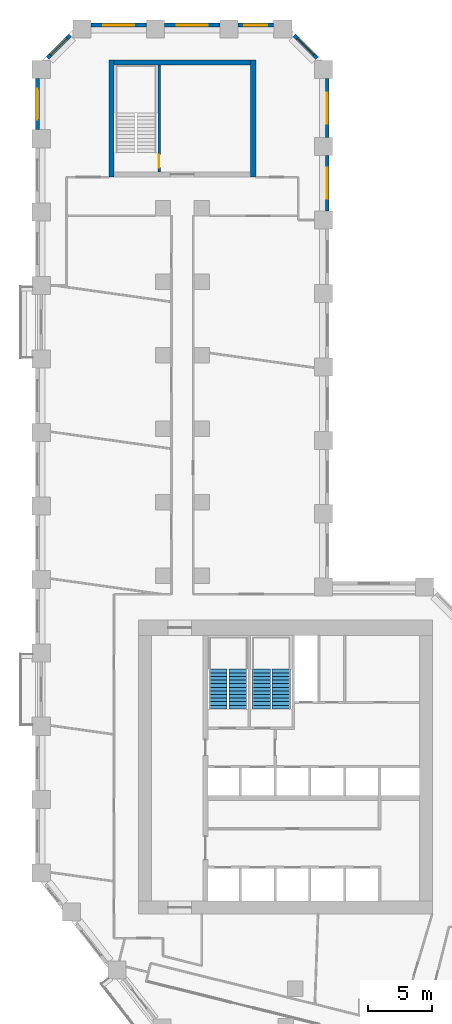
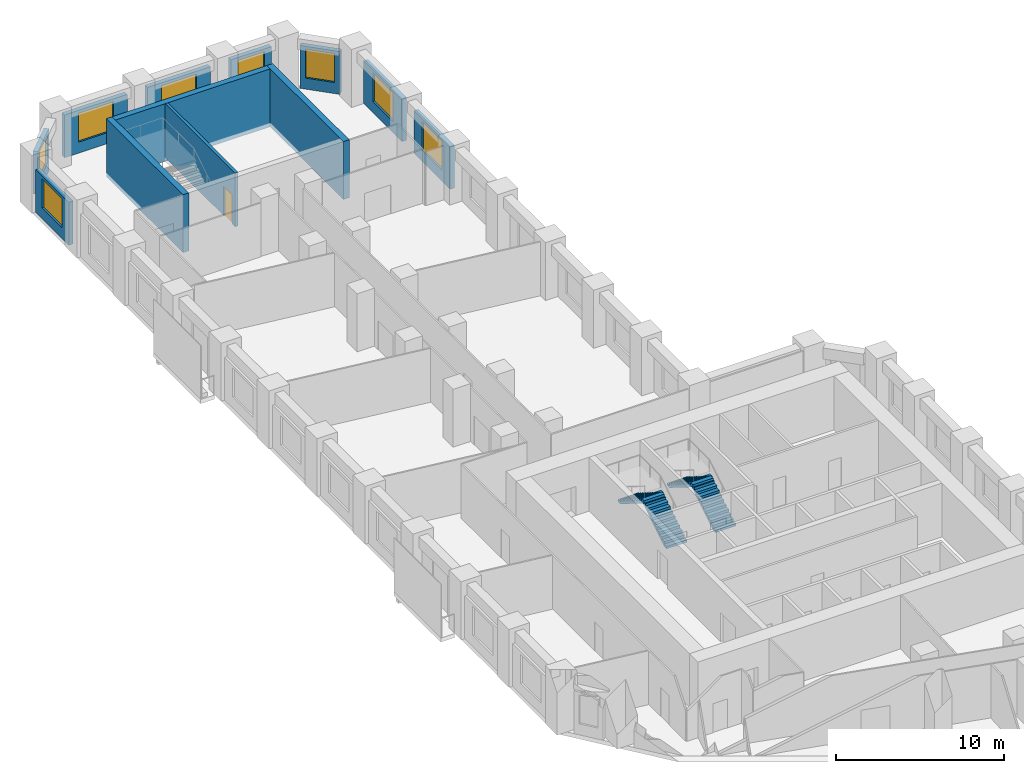
# One storey, part 9 of 11: 12 walls, 8 windows, 4 stair flights, 1 door, 9 openings, 2 elements without a shape of their own.
"""IFC4 building model written with IfcOpenShell, lengths in metres."""

from ifc_helpers import new_model, si_unit, direction, frame, frame_2d, origin, place, context, subcontext, project, spatial, polyline, rectangle, outline, extrude, material, layer, layer_set, type_object, element, fill, aggregate, save


model = new_model("IFC4")

# Units and contexts
model_context = context("Model", 3, precision=1e-05, world=origin(), true_north=direction((0.0, 1.0)))
body_context = subcontext(model_context, "Body", "Model", "MODEL_VIEW")
ifc_project = project(units=[si_unit("LENGTHUNIT", "METRE"), si_unit("AREAUNIT", "SQUARE_METRE"), si_unit("VOLUMEUNIT", "CUBIC_METRE"), si_unit("PLANEANGLEUNIT", "RADIAN"), si_unit("MASSUNIT", "GRAM", prefix="KILO")], contexts=[model_context])

# Site, building, storey
site_placement = place(None, origin())
site = spatial("IfcSite", under=ifc_project, at=site_placement, CompositionType="ELEMENT")
building_placement = place(site_placement, origin())
building = spatial("IfcBuilding", under=site, at=building_placement, Name="Meshkara Civic Tower", CompositionType="ELEMENT")
storey_placement = place(building_placement, frame((0.0, 0.0, 79.199951171875)))
storey = spatial("IfcBuildingStorey", under=building, at=storey_placement, Name="L17", CompositionType="ELEMENT", Elevation=79.199951171875)

# Wall, opening, window
ifc_material_1 = material(Name="Insulated infill panel with bronze anodised aluminium cladding", Category="aluminium")
ifc_layer_1 = layer(ifc_material_1, 0.300048828125)
ifc_layer_set_1 = layer_set([ifc_layer_1], Name="EXTERNAL INFILL WALL 300")
wall_type_1 = type_object("IfcWallType", Name="EXTERNAL INFILL WALL 300", PredefinedType="SOLIDWALL", material=ifc_layer_set_1)
wall_1_placement = place(storey_placement, frame((22.64990234375, 68.64990234375, 0.0), z_axis=(0.0, 0.0, 1.0), x_axis=(0.0, 1.0, 0.0)))
wall_1 = element("IfcWall", 1, at=wall_1_placement, inside=storey, type_object=wall_type_1, Name="External wall", PredefinedType="SOLIDWALL", context=body_context, shape_type="SweptSolid", body=[
    extrude(rectangle(XDim=4.300048828125, YDim=0.300048828125, at=frame_2d((2.14990234375, 0.0))), origin(), (0.0, 0.0, 1.0), 3.10009765625),
])
opening_1_placement = place(wall_1_placement, frame((0.949951171875, 0.0, 0.800048828125)))
opening_1 = element("IfcOpeningElement", 2, at=opening_1_placement, cuts=wall_1, Name="Opening W7", PredefinedType="OPENING", context=body_context, shape_type="SweptSolid", body=[
    extrude(rectangle(XDim=2.39990234375, YDim=2.10009765625, at=frame_2d((1.199951171875, 1.050048828125))), frame((0.0, 0.159912109375, 0.0), z_axis=(0.0, -1.0, 0.0), x_axis=(1.0, 0.0, 0.0)), (0.0, 0.0, 1.0), 0.320068359375),
])
ifc_material_2 = material(Name="Tinted double glazing", Category="glass")
window_type_1 = type_object("IfcWindowType", Name="WINDOW 2400x2100", PartitioningType="DOUBLE_PANEL_VERTICAL", PredefinedType="WINDOW", material=ifc_material_2)
window_1_placement = place(opening_1_placement, origin())
window_1 = element("IfcWindow", 3, at=window_1_placement, inside=storey, type_object=window_type_1, Name="Window", OverallHeight=2.10009765625, OverallWidth=2.39990234375, PartitioningType="DOUBLE_PANEL_VERTICAL", PredefinedType="WINDOW", context=body_context, shape_type="SweptSolid", body=[
    extrude(rectangle(XDim=2.39990234375, YDim=2.10009765625, at=frame_2d((1.199951171875, 1.050048828125))), frame((0.0, 0.030029296875, 0.0), z_axis=(0.0, -1.0, 0.0), x_axis=(1.0, 0.0, 0.0)), (0.0, 0.0, 1.0), 0.06005859375),
])
fill(opening_1, window_1)

wall_2_placement = place(storey_placement, frame((22.64990234375, 74.35009765625, 0.0), z_axis=(0.0, 0.0, 1.0), x_axis=(0.0, 1.0, 0.0)))
wall_2 = element("IfcWall", 4, at=wall_2_placement, inside=storey, type_object=wall_type_1, Name="External wall", PredefinedType="SOLIDWALL", context=body_context, shape_type="SweptSolid", body=[
    extrude(rectangle(XDim=4.56396484375, YDim=0.300048828125, at=frame_2d((2.281982421875, 0.0))), origin(), (0.0, 0.0, 1.0), 3.10009765625),
])
opening_2_placement = place(wall_2_placement, frame((1.08203125, 0.0, 0.800048828125)))
opening_2 = element("IfcOpeningElement", 5, at=opening_2_placement, cuts=wall_2, Name="Opening W7", PredefinedType="OPENING", context=body_context, shape_type="SweptSolid", body=[
    extrude(rectangle(XDim=2.39990234375, YDim=2.10009765625, at=frame_2d((1.199951171875, 1.050048828125))), frame((0.0, 0.159912109375, 0.0), z_axis=(0.0, -1.0, 0.0), x_axis=(1.0, 0.0, 0.0)), (0.0, 0.0, 1.0), 0.320068359375),
])
window_2_placement = place(opening_2_placement, origin())
window_2 = element("IfcWindow", 6, at=window_2_placement, inside=storey, type_object=window_type_1, Name="Window", OverallHeight=2.10009765625, OverallWidth=2.39990234375, PartitioningType="DOUBLE_PANEL_VERTICAL", PredefinedType="WINDOW", context=body_context, shape_type="SweptSolid", body=[
    extrude(rectangle(XDim=2.39990234375, YDim=2.10009765625, at=frame_2d((1.199951171875, 1.050048828125))), frame((0.0, 0.030029296875, 0.0), z_axis=(0.0, -1.0, 0.0), x_axis=(1.0, 0.0, 0.0)), (0.0, 0.0, 1.0), 0.06005859375),
])
fill(opening_2, window_2)

wall_3_placement = place(storey_placement, frame((21.862060546875, 80.52587890625, 0.0), z_axis=(0.0, 0.0, 1.0), x_axis=(-0.707106781187, 0.707106781187, 0.0)))
wall_3 = element("IfcWall", 7, at=wall_3_placement, inside=storey, type_object=wall_type_1, Name="External wall", PredefinedType="SOLIDWALL", context=body_context, shape_type="SweptSolid", body=[
    extrude(rectangle(XDim=2.4833984375, YDim=0.300048828125, at=frame_2d((1.24169921875, 0.0))), origin(), (0.0, 0.0, 1.0), 3.10009765625),
])
opening_3_placement = place(wall_3_placement, frame((0.342041015625, 0.0, 0.800048828125)))
opening_3 = element("IfcOpeningElement", 8, at=opening_3_placement, cuts=wall_3, Name="Opening W9", PredefinedType="OPENING", context=body_context, shape_type="SweptSolid", body=[
    extrude(rectangle(XDim=1.800048828125, YDim=2.10009765625, at=frame_2d((0.89990234375, 1.050048828125))), frame((0.0, 0.159912109375, 0.0), z_axis=(0.0, -1.0, 0.0), x_axis=(1.0, 0.0, 0.0)), (0.0, 0.0, 1.0), 0.320068359375),
])
ifc_material_3 = material(Name="Tinted double glazing", Category="glass")
window_type_2 = type_object("IfcWindowType", Name="WINDOW 1800x2100", PartitioningType="DOUBLE_PANEL_VERTICAL", PredefinedType="WINDOW", material=ifc_material_3)
window_3_placement = place(opening_3_placement, origin())
window_3 = element("IfcWindow", 9, at=window_3_placement, inside=storey, type_object=window_type_2, Name="Window", OverallHeight=2.10009765625, OverallWidth=1.800048828125, PartitioningType="DOUBLE_PANEL_VERTICAL", PredefinedType="WINDOW", context=body_context, shape_type="SweptSolid", body=[
    extrude(rectangle(XDim=1.800048828125, YDim=2.10009765625, at=frame_2d((0.89990234375, 1.050048828125))), frame((0.0, 0.030029296875, 0.0), z_axis=(0.0, -1.0, 0.0), x_axis=(1.0, 0.0, 0.0)), (0.0, 0.0, 1.0), 0.06005859375),
])
fill(opening_3, window_3)

wall_4_placement = place(storey_placement, frame((18.493896484375, 83.070068359375, 0.0), z_axis=(0.0, 0.0, 1.0), x_axis=(-1.0, 0.0, 0.0)))
wall_4 = element("IfcWall", 10, at=wall_4_placement, inside=storey, type_object=wall_type_1, Name="External wall", PredefinedType="SOLIDWALL", context=body_context, shape_type="SweptSolid", body=[
    extrude(rectangle(XDim=2.787841796875, YDim=0.300048828125, at=frame_2d((1.39404296875, 0.0))), origin(), (0.0, 0.0, 1.0), 3.10009765625),
])
opening_4_placement = place(wall_4_placement, frame((0.493896484375, 0.0, 0.800048828125)))
opening_4 = element("IfcOpeningElement", 11, at=opening_4_placement, cuts=wall_4, Name="Opening W9", PredefinedType="OPENING", context=body_context, shape_type="SweptSolid", body=[
    extrude(rectangle(XDim=1.800048828125, YDim=2.10009765625, at=frame_2d((0.89990234375, 1.050048828125))), frame((0.0, 0.159912109375, 0.0), z_axis=(0.0, -1.0, 0.0), x_axis=(1.0, 0.0, 0.0)), (0.0, 0.0, 1.0), 0.320068359375),
])
window_4_placement = place(opening_4_placement, origin())
window_4 = element("IfcWindow", 12, at=window_4_placement, inside=storey, type_object=window_type_2, Name="Window", OverallHeight=2.10009765625, OverallWidth=1.800048828125, PartitioningType="DOUBLE_PANEL_VERTICAL", PredefinedType="WINDOW", context=body_context, shape_type="SweptSolid", body=[
    extrude(rectangle(XDim=1.800048828125, YDim=2.10009765625, at=frame_2d((0.89990234375, 1.050048828125))), frame((0.0, 0.030029296875, 0.0), z_axis=(0.0, -1.0, 0.0), x_axis=(1.0, 0.0, 0.0)), (0.0, 0.0, 1.0), 0.06005859375),
])
fill(opening_4, window_4)

wall_5_placement = place(storey_placement, frame((14.305908203125, 83.070068359375, 0.0), z_axis=(0.0, 0.0, 1.0), x_axis=(-1.0, 0.0, 0.0)))
wall_5 = element("IfcWall", 13, at=wall_5_placement, inside=storey, type_object=wall_type_1, Name="External wall", PredefinedType="SOLIDWALL", context=body_context, shape_type="SweptSolid", body=[
    extrude(rectangle(XDim=4.2998046875, YDim=0.300048828125, at=frame_2d((2.14990234375, 0.0))), origin(), (0.0, 0.0, 1.0), 3.10009765625),
])
opening_5_placement = place(wall_5_placement, frame((0.949951171875, 0.0, 0.800048828125)))
opening_5 = element("IfcOpeningElement", 14, at=opening_5_placement, cuts=wall_5, Name="Opening W7", PredefinedType="OPENING", context=body_context, shape_type="SweptSolid", body=[
    extrude(rectangle(XDim=2.39990234375, YDim=2.10009765625, at=frame_2d((1.199951171875, 1.050048828125))), frame((0.0, 0.159912109375, 0.0), z_axis=(0.0, -1.0, 0.0), x_axis=(1.0, 0.0, 0.0)), (0.0, 0.0, 1.0), 0.320068359375),
])
window_5_placement = place(opening_5_placement, origin())
window_5 = element("IfcWindow", 15, at=window_5_placement, inside=storey, type_object=window_type_1, Name="Window", OverallHeight=2.10009765625, OverallWidth=2.39990234375, PartitioningType="DOUBLE_PANEL_VERTICAL", PredefinedType="WINDOW", context=body_context, shape_type="SweptSolid", body=[
    extrude(rectangle(XDim=2.39990234375, YDim=2.10009765625, at=frame_2d((1.199951171875, 1.050048828125))), frame((0.0, 0.030029296875, 0.0), z_axis=(0.0, -1.0, 0.0), x_axis=(1.0, 0.0, 0.0)), (0.0, 0.0, 1.0), 0.06005859375),
])
fill(opening_5, window_5)

wall_6_placement = place(storey_placement, frame((8.60595703125, 83.070068359375, 0.0), z_axis=(0.0, 0.0, 1.0), x_axis=(-1.0, 0.0, 0.0)))
wall_6 = element("IfcWall", 16, at=wall_6_placement, inside=storey, type_object=wall_type_1, Name="External wall", PredefinedType="SOLIDWALL", context=body_context, shape_type="SweptSolid", body=[
    extrude(rectangle(XDim=4.300048828125, YDim=0.300048828125, at=frame_2d((2.14990234375, 0.0))), origin(), (0.0, 0.0, 1.0), 3.10009765625),
])
opening_6_placement = place(wall_6_placement, frame((0.949951171875, 0.0, 0.800048828125)))
opening_6 = element("IfcOpeningElement", 17, at=opening_6_placement, cuts=wall_6, Name="Opening W7", PredefinedType="OPENING", context=body_context, shape_type="SweptSolid", body=[
    extrude(rectangle(XDim=2.39990234375, YDim=2.10009765625, at=frame_2d((1.199951171875, 1.050048828125))), frame((0.0, 0.159912109375, 0.0), z_axis=(0.0, -1.0, 0.0), x_axis=(1.0, 0.0, 0.0)), (0.0, 0.0, 1.0), 0.320068359375),
])
window_6_placement = place(opening_6_placement, origin())
window_6 = element("IfcWindow", 18, at=window_6_placement, inside=storey, type_object=window_type_1, Name="Window", OverallHeight=2.10009765625, OverallWidth=2.39990234375, PartitioningType="DOUBLE_PANEL_VERTICAL", PredefinedType="WINDOW", context=body_context, shape_type="SweptSolid", body=[
    extrude(rectangle(XDim=2.39990234375, YDim=2.10009765625, at=frame_2d((1.199951171875, 1.050048828125))), frame((0.0, 0.030029296875, 0.0), z_axis=(0.0, -1.0, 0.0), x_axis=(1.0, 0.0, 0.0)), (0.0, 0.0, 1.0), 0.06005859375),
])
fill(opening_6, window_6)

wall_7_placement = place(storey_placement, frame((2.694091796875, 82.281982421875, 0.0), z_axis=(0.0, 0.0, 1.0), x_axis=(-0.707106781187, -0.707106781187, 0.0)))
wall_7 = element("IfcWall", 19, at=wall_7_placement, inside=storey, type_object=wall_type_1, Name="External wall", PredefinedType="SOLIDWALL", context=body_context, shape_type="SweptSolid", body=[
    extrude(rectangle(XDim=2.4833984375, YDim=0.300048828125, at=frame_2d((1.24169921875, 0.0))), origin(), (0.0, 0.0, 1.0), 3.10009765625),
])
opening_7_placement = place(wall_7_placement, frame((0.342041015625, 0.0, 0.800048828125)))
opening_7 = element("IfcOpeningElement", 20, at=opening_7_placement, cuts=wall_7, Name="Opening W9", PredefinedType="OPENING", context=body_context, shape_type="SweptSolid", body=[
    extrude(rectangle(XDim=1.800048828125, YDim=2.10009765625, at=frame_2d((0.89990234375, 1.050048828125))), frame((0.0, 0.159912109375, 0.0), z_axis=(0.0, -1.0, 0.0), x_axis=(1.0, 0.0, 0.0)), (0.0, 0.0, 1.0), 0.320068359375),
])
window_7_placement = place(opening_7_placement, origin())
window_7 = element("IfcWindow", 21, at=window_7_placement, inside=storey, type_object=window_type_2, Name="Window", OverallHeight=2.10009765625, OverallWidth=1.800048828125, PartitioningType="DOUBLE_PANEL_VERTICAL", PredefinedType="WINDOW", context=body_context, shape_type="SweptSolid", body=[
    extrude(rectangle(XDim=1.800048828125, YDim=2.10009765625, at=frame_2d((0.89990234375, 1.050048828125))), frame((0.0, 0.030029296875, 0.0), z_axis=(0.0, -1.0, 0.0), x_axis=(1.0, 0.0, 0.0)), (0.0, 0.0, 1.0), 0.06005859375),
])
fill(opening_7, window_7)

wall_8_placement = place(storey_placement, frame((0.14990234375, 78.9140625, 0.0), z_axis=(0.0, 0.0, 1.0), x_axis=(0.0, -1.0, 0.0)))
wall_8 = element("IfcWall", 22, at=wall_8_placement, inside=storey, type_object=wall_type_1, Name="External wall", PredefinedType="SOLIDWALL", context=body_context, shape_type="SweptSolid", body=[
    extrude(rectangle(XDim=3.958984375, YDim=0.300048828125, at=frame_2d((1.9794921875, 0.0))), origin(), (0.0, 0.0, 1.0), 3.10009765625),
])
opening_8_placement = place(wall_8_placement, frame((0.780029296875, 0.0, 0.800048828125)))
opening_8 = element("IfcOpeningElement", 23, at=opening_8_placement, cuts=wall_8, Name="Opening W7", PredefinedType="OPENING", context=body_context, shape_type="SweptSolid", body=[
    extrude(rectangle(XDim=2.39990234375, YDim=2.10009765625, at=frame_2d((1.199951171875, 1.050048828125))), frame((0.0, 0.159912109375, 0.0), z_axis=(0.0, -1.0, 0.0), x_axis=(1.0, 0.0, 0.0)), (0.0, 0.0, 1.0), 0.320068359375),
])
window_8_placement = place(opening_8_placement, origin())
window_8 = element("IfcWindow", 24, at=window_8_placement, inside=storey, type_object=window_type_1, Name="Window", OverallHeight=2.10009765625, OverallWidth=2.39990234375, PartitioningType="DOUBLE_PANEL_VERTICAL", PredefinedType="WINDOW", context=body_context, shape_type="SweptSolid", body=[
    extrude(rectangle(XDim=2.39990234375, YDim=2.10009765625, at=frame_2d((1.199951171875, 1.050048828125))), frame((0.0, 0.030029296875, 0.0), z_axis=(0.0, -1.0, 0.0), x_axis=(1.0, 0.0, 0.0)), (0.0, 0.0, 1.0), 0.06005859375),
])
fill(opening_8, window_8)

# Walls
ifc_material_4 = material(Name="Concrete C80", Category="concrete")
ifc_layer_2 = layer(ifc_material_4, 0.39990234375)
ifc_layer_set_2 = layer_set([ifc_layer_2], Name="End core ring wall 400 C80")
wall_type_2 = type_object("IfcWallType", Name="End core ring wall 400 C80", PredefinedType="SHEAR", material=ifc_layer_set_2)
for number, where, z_axis, x_axis, name in (
    (25, (5.89990234375, 71.27001953125, -0.300048828125), (0.0, 0.0, 1.0), (0.0, 1.0, 0.0), "L17-C026"),
    (26, (16.89990234375, 71.27001953125, -0.300048828125), (0.0, 0.0, 1.0), (0.0, 1.0, 0.0), "L17-C027"),
):
    element("IfcWall", number, at=place(storey_placement, frame(where, z_axis=z_axis, x_axis=x_axis)), inside=storey, type_object=wall_type_2, Name=name, PredefinedType="SHEAR", context=body_context, shape_type="SweptSolid", body=[
        extrude(rectangle(XDim=9.10009765625, YDim=0.39990234375, at=frame_2d((4.550048828125, 0.0))), origin(), (0.0, 0.0, 1.0), 4.2001953125),
    ])
wall_9_placement = place(storey_placement, frame((6.10009765625, 80.169921875, -0.300048828125), z_axis=(0.0, 0.0, 1.0), x_axis=(1.0, 0.0, 0.0)))
element("IfcWall", 27, at=wall_9_placement, inside=storey, type_object=wall_type_2, Name="L17-C029", PredefinedType="SHEAR", context=body_context, shape_type="SweptSolid", body=[
    extrude(rectangle(XDim=10.599853515625, YDim=0.39990234375, at=frame_2d((5.2998046875, 0.0))), origin(), (0.0, 0.0, 1.0), 4.2001953125),
])

# Wall, opening, door
ifc_material_5 = material(Name="Concrete C40/50", Category="concrete")
ifc_layer_3 = layer(ifc_material_5, 0.199951171875)
ifc_layer_set_3 = layer_set([ifc_layer_3], Name="Stair enclosure wall 200 C40/50")
wall_type_3 = type_object("IfcWallType", Name="Stair enclosure wall 200 C40/50", PredefinedType="SOLIDWALL", material=ifc_layer_set_3)
wall_10_placement = place(storey_placement, frame((9.60009765625, 71.669921875, 0.0), z_axis=(0.0, 0.0, 1.0), x_axis=(0.0, 1.0, 0.0)))
wall_10 = element("IfcWall", 28, at=wall_10_placement, inside=storey, type_object=wall_type_3, Name="L17-C030", PredefinedType="SOLIDWALL", context=body_context, shape_type="SweptSolid", body=[
    extrude(rectangle(XDim=8.300048828125, YDim=0.199951171875, at=frame_2d((4.14990234375, 0.0))), origin(), (0.0, 0.0, 1.0), 3.900146484375),
])
opening_9_placement = place(wall_10_placement, frame((0.35009765625, 0.0, 0.0)))
opening_9 = element("IfcOpeningElement", 29, at=opening_9_placement, cuts=wall_10, Name="Opening L17-K101", PredefinedType="OPENING", context=body_context, shape_type="SweptSolid", body=[
    extrude(rectangle(XDim=1.0, YDim=2.10009765625, at=frame_2d((0.5, 1.050048828125))), frame((0.0, 0.10986328125, 0.0), z_axis=(0.0, -1.0, 0.0), x_axis=(1.0, 0.0, 0.0)), (0.0, 0.0, 1.0), 0.219970703125),
])
ifc_material_6 = material(Name="Fire-rated door leaf in steel frame", Category="steel")
door_type = type_object("IfcDoorType", Name="Stair door 1000 EI 120", OperationType="SINGLE_SWING_LEFT", PredefinedType="DOOR", material=ifc_material_6)
door_placement = place(opening_9_placement, origin())
door = element("IfcDoor", 30, at=door_placement, inside=storey, type_object=door_type, Name="L17-K101", OperationType="SINGLE_SWING_RIGHT", OverallHeight=2.10009765625, OverallWidth=1.0, PredefinedType="DOOR", context=body_context, shape_type="SweptSolid", body=[
    extrude(rectangle(XDim=1.0, YDim=2.10009765625, at=frame_2d((0.5, 1.050048828125))), frame((0.0, 0.02490234375, 0.0), z_axis=(0.0, -1.0, 0.0), x_axis=(1.0, 0.0, 0.0)), (0.0, 0.0, 1.0), 0.050048828125),
])
fill(opening_9, door)

# Stair, stair flights
ifc_material_7 = material(Name="Precast concrete C40/50", Category="concrete")
stair_type = type_object("IfcStairType", Name="Exit stair half-turn 24 risers precast", PredefinedType="HALF_TURN_STAIR", material=ifc_material_7)
stair_1_placement = place(storey_placement, origin())
stair_1 = element("IfcStair", 31, at=stair_1_placement, inside=storey, type_object=stair_type, Name="L17 exit stair 1", PredefinedType="HALF_TURN_STAIR")
ifc_material_8 = material(Name="Precast concrete C40/50", Category="concrete")
stair_flight_type = type_object("IfcStairFlightType", Name="Exit stair flight 12 risers precast", PredefinedType="STRAIGHT", material=ifc_material_8)
stair_flight_1_placement = place(storey_placement, frame((15.72509765625, 30.0, 0.0), z_axis=(0.0, 0.0, 1.0), x_axis=(0.0, 1.0, 0.0)))
stair_flight_1 = element("IfcStairFlight", 32, at=stair_flight_1_placement, type_object=stair_flight_type, Name="ST1 flight 1", NumberOfRisers=12, NumberOfTreads=11, PredefinedType="STRAIGHT", RiserHeight=0.175, TreadLength=0.28, context=body_context, shape_type="SweptSolid", body=[
    extrude(outline(polyline([(0.0, 0.0), (0.0, 0.175048828125), (0.280029296875, 0.175048828125), (0.280029296875, 0.35009765625), (0.56005859375, 0.35009765625), (0.56005859375, 0.52490234375), (0.840087890625, 0.52490234375), (0.840087890625, 0.699951171875), (1.1201171875, 0.699951171875), (1.1201171875, 0.875), (1.39990234375, 0.875), (1.39990234375, 1.050048828125), (1.679931640625, 1.050048828125), (1.679931640625, 1.22509765625), (1.9599609375, 1.22509765625), (1.9599609375, 1.39990234375), (2.239990234375, 1.39990234375), (2.239990234375, 1.574951171875), (2.52001953125, 1.574951171875), (2.52001953125, 1.75), (2.800048828125, 1.75), (2.800048828125, 1.925048828125), (3.080078125, 1.925048828125), (3.080078125, 2.10009765625), (3.080078125, 1.748291015625), (0.28271484375, 0.0), (0.0, 0.0)])), frame((0.0, 0.699951171875, 0.0), z_axis=(0.0, -1.0, 0.0), x_axis=(1.0, 0.0, 0.0)), (0.0, 0.0, 1.0), 1.39990234375),
])
stair_flight_2_placement = place(storey_placement, frame((14.175048828125, 33.080078125, 2.10009765625), z_axis=(0.0, 0.0, 1.0), x_axis=(0.0, -1.0, 0.0)))
stair_flight_2 = element("IfcStairFlight", 33, at=stair_flight_2_placement, type_object=stair_flight_type, Name="ST1 flight 2", NumberOfRisers=12, NumberOfTreads=11, PredefinedType="STRAIGHT", RiserHeight=0.175, TreadLength=0.28, context=body_context, shape_type="SweptSolid", body=[
    extrude(outline(polyline([(0.0, 0.0), (0.0, 0.175048828125), (0.280029296875, 0.175048828125), (0.280029296875, 0.35009765625), (0.56005859375, 0.35009765625), (0.56005859375, 0.52490234375), (0.840087890625, 0.52490234375), (0.840087890625, 0.699951171875), (1.1201171875, 0.699951171875), (1.1201171875, 0.875), (1.39990234375, 0.875), (1.39990234375, 1.050048828125), (1.679931640625, 1.050048828125), (1.679931640625, 1.22509765625), (1.9599609375, 1.22509765625), (1.9599609375, 1.39990234375), (2.239990234375, 1.39990234375), (2.239990234375, 1.574951171875), (2.52001953125, 1.574951171875), (2.52001953125, 1.75), (2.800048828125, 1.75), (2.800048828125, 1.925048828125), (3.080078125, 1.925048828125), (3.080078125, 2.10009765625), (3.080078125, 1.748291015625), (0.28271484375, 0.0), (0.0, 0.0)])), frame((0.0, 0.699951171875, 0.0), z_axis=(0.0, -1.0, 0.0), x_axis=(1.0, 0.0, 0.0)), (0.0, 0.0, 1.0), 1.39990234375),
])
aggregate(stair_1, [stair_flight_1, stair_flight_2])

stair_2_placement = place(storey_placement, origin())
stair_2 = element("IfcStair", 34, at=stair_2_placement, inside=storey, type_object=stair_type, Name="L17 exit stair 2", PredefinedType="HALF_TURN_STAIR")
stair_flight_3_placement = place(storey_placement, frame((19.074951171875, 30.0, 0.0), z_axis=(0.0, 0.0, 1.0), x_axis=(0.0, 1.0, 0.0)))
stair_flight_3 = element("IfcStairFlight", 35, at=stair_flight_3_placement, type_object=stair_flight_type, Name="ST2 flight 1", NumberOfRisers=12, NumberOfTreads=11, PredefinedType="STRAIGHT", RiserHeight=0.175, TreadLength=0.28, context=body_context, shape_type="SweptSolid", body=[
    extrude(outline(polyline([(0.0, 0.0), (0.0, 0.175048828125), (0.280029296875, 0.175048828125), (0.280029296875, 0.35009765625), (0.56005859375, 0.35009765625), (0.56005859375, 0.52490234375), (0.840087890625, 0.52490234375), (0.840087890625, 0.699951171875), (1.1201171875, 0.699951171875), (1.1201171875, 0.875), (1.39990234375, 0.875), (1.39990234375, 1.050048828125), (1.679931640625, 1.050048828125), (1.679931640625, 1.22509765625), (1.9599609375, 1.22509765625), (1.9599609375, 1.39990234375), (2.239990234375, 1.39990234375), (2.239990234375, 1.574951171875), (2.52001953125, 1.574951171875), (2.52001953125, 1.75), (2.800048828125, 1.75), (2.800048828125, 1.925048828125), (3.080078125, 1.925048828125), (3.080078125, 2.10009765625), (3.080078125, 1.748291015625), (0.28271484375, 0.0), (0.0, 0.0)])), frame((0.0, 0.699951171875, 0.0), z_axis=(0.0, -1.0, 0.0), x_axis=(1.0, 0.0, 0.0)), (0.0, 0.0, 1.0), 1.39990234375),
])
stair_flight_4_placement = place(storey_placement, frame((17.52490234375, 33.080078125, 2.10009765625), z_axis=(0.0, 0.0, 1.0), x_axis=(0.0, -1.0, 0.0)))
stair_flight_4 = element("IfcStairFlight", 36, at=stair_flight_4_placement, type_object=stair_flight_type, Name="ST2 flight 2", NumberOfRisers=12, NumberOfTreads=11, PredefinedType="STRAIGHT", RiserHeight=0.175, TreadLength=0.28, context=body_context, shape_type="SweptSolid", body=[
    extrude(outline(polyline([(0.0, 0.0), (0.0, 0.175048828125), (0.280029296875, 0.175048828125), (0.280029296875, 0.35009765625), (0.56005859375, 0.35009765625), (0.56005859375, 0.52490234375), (0.840087890625, 0.52490234375), (0.840087890625, 0.699951171875), (1.1201171875, 0.699951171875), (1.1201171875, 0.875), (1.39990234375, 0.875), (1.39990234375, 1.050048828125), (1.679931640625, 1.050048828125), (1.679931640625, 1.22509765625), (1.9599609375, 1.22509765625), (1.9599609375, 1.39990234375), (2.239990234375, 1.39990234375), (2.239990234375, 1.574951171875), (2.52001953125, 1.574951171875), (2.52001953125, 1.75), (2.800048828125, 1.75), (2.800048828125, 1.925048828125), (3.080078125, 1.925048828125), (3.080078125, 2.10009765625), (3.080078125, 1.748291015625), (0.28271484375, 0.0), (0.0, 0.0)])), frame((0.0, 0.699951171875, 0.0), z_axis=(0.0, -1.0, 0.0), x_axis=(1.0, 0.0, 0.0)), (0.0, 0.0, 1.0), 1.39990234375),
])
aggregate(stair_2, [stair_flight_3, stair_flight_4])

save(model, "model.ifc")
